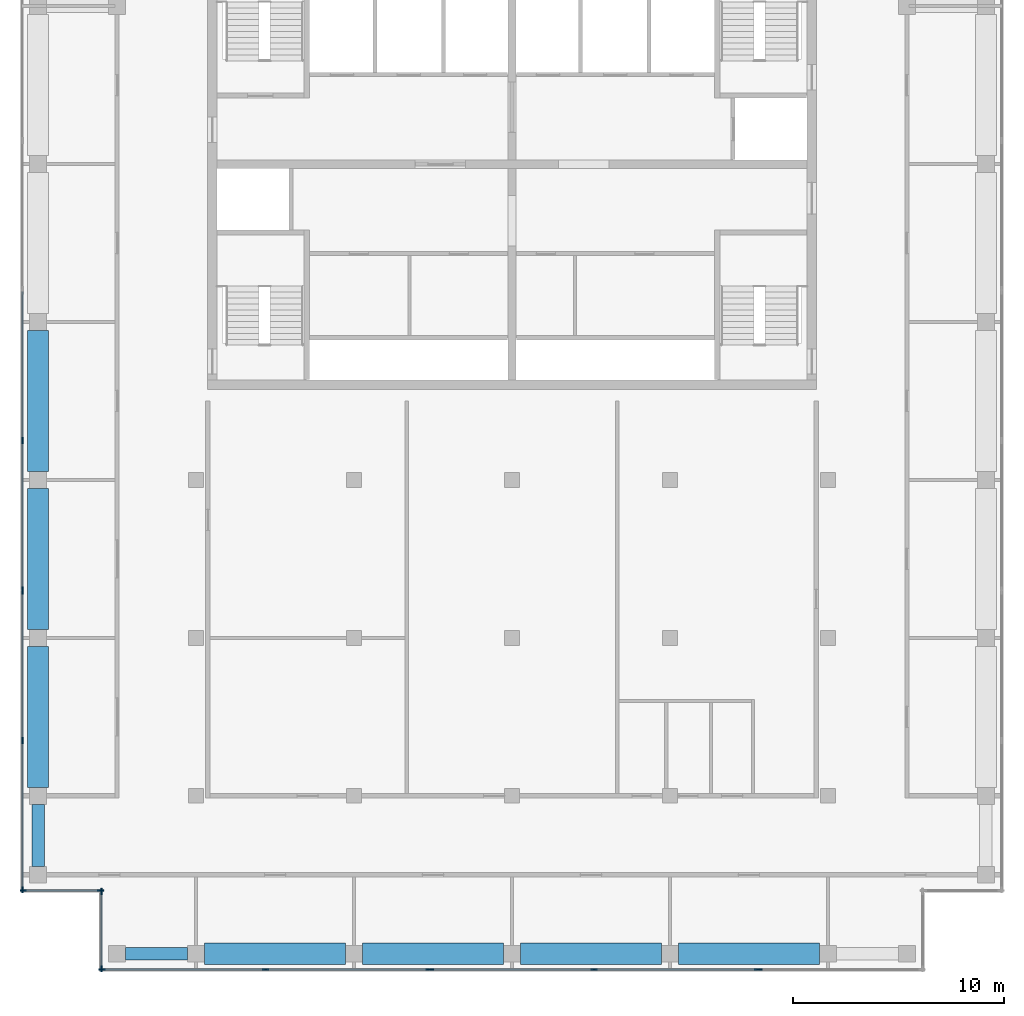
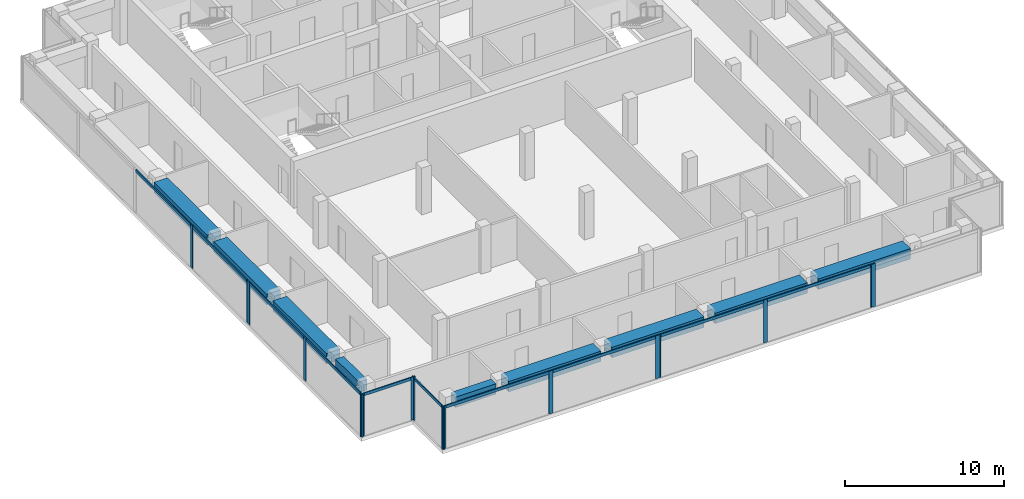
# One storey, part 2 of 9: 26 members, 9 beams, 7 elements without a shape of their own.
"""IFC4 building model written with IfcOpenShell, lengths in metres."""

from ifc_helpers import new_model, si_unit, direction, frame, origin, origin_2d, place, context, subcontext, project, spatial, rectangle, extrude, material, material_profile, profile_set, type_object, element, aggregate, save


model = new_model("IFC4")

# Units and contexts
model_context = context("Model", 3, precision=1e-05, world=origin(), true_north=direction((0.0, 1.0)))
body_context = subcontext(model_context, "Body", "Model", "MODEL_VIEW")
ifc_project = project(units=[si_unit("LENGTHUNIT", "METRE"), si_unit("AREAUNIT", "SQUARE_METRE"), si_unit("VOLUMEUNIT", "CUBIC_METRE"), si_unit("PLANEANGLEUNIT", "RADIAN"), si_unit("MASSUNIT", "GRAM", prefix="KILO")], contexts=[model_context])

# Site, building, storey
site_placement = place(None, origin())
site = spatial("IfcSite", under=ifc_project, at=site_placement, CompositionType="ELEMENT")
building_placement = place(site_placement, origin())
building = spatial("IfcBuilding", under=site, at=building_placement, Name="Pilkhan Gate Tower", CompositionType="ELEMENT")
storey_placement = place(building_placement, frame((0.0, 0.0, 262.10009765625)))
storey = spatial("IfcBuildingStorey", under=building, at=storey_placement, Name="L68", CompositionType="ELEMENT", Elevation=262.10009765625)

# Curtain wall, members
ifc_material_1 = material(Name="Pale anodised aluminium, clear low-iron double glazing", Category="aluminium")
curtain_wall_type = type_object("IfcCurtainWallType", Name="Crown unitised curtain wall CW-C", PredefinedType="USERDEFINED", material=ifc_material_1)
curtain_wall_1_placement = place(storey_placement, origin())
curtain_wall_1 = element("IfcCurtainWall", 1, at=curtain_wall_1_placement, inside=storey, type_object=curtain_wall_type, Name="Crown unitised curtain wall CW-C L68 W", ObjectType="UNITISED CURTAIN WALL", PredefinedType="USERDEFINED")
ifc_material_2 = material(Name="Pale anodised aluminium", Category="aluminium")
ifc_material_profile_1 = material_profile(ifc_material_2, rectangle(XDim=0.074951171875, YDim=0.300048828125, at=origin_2d()), Name="Mullion 300x75")
ifc_profile_set_1 = profile_set([ifc_material_profile_1], Name="Pale anodised aluminium")
member_type_1 = type_object("IfcMemberType", Name="Mullion CW-C 300x75", PredefinedType="MULLION", material=ifc_profile_set_1)
member_1_placement = place(storey_placement, frame((51.75, 48.03759765625, 0.0), z_axis=(0.0, 0.0, 1.0), x_axis=(-1.0, 0.0, 0.0)))
member_1 = element("IfcMember", 2, at=member_1_placement, type_object=member_type_1, Name="CW-C mullion 1", PredefinedType="MULLION", context=body_context, shape_type="SweptSolid", body=[
    extrude(rectangle(XDim=0.074951171875, YDim=0.300048828125, at=origin_2d()), origin(), (0.0, 0.0, 1.0), 3.2998046875),
])
member_2_placement = place(storey_placement, frame((51.75, 55.125, 0.0), z_axis=(0.0, 0.0, 1.0), x_axis=(-1.0, 0.0, 0.0)))
member_2 = element("IfcMember", 3, at=member_2_placement, type_object=member_type_1, Name="CW-C mullion 2", PredefinedType="MULLION", context=body_context, shape_type="SweptSolid", body=[
    extrude(rectangle(XDim=0.074951171875, YDim=0.300048828125, at=origin_2d()), origin(), (0.0, 0.0, 1.0), 3.2998046875),
])
member_3_placement = place(storey_placement, frame((51.75, 62.21240234375, 0.0), z_axis=(0.0, 0.0, 1.0), x_axis=(-1.0, 0.0, 0.0)))
member_3 = element("IfcMember", 4, at=member_3_placement, type_object=member_type_1, Name="CW-C mullion 3", PredefinedType="MULLION", context=body_context, shape_type="SweptSolid", body=[
    extrude(rectangle(XDim=0.074951171875, YDim=0.300048828125, at=origin_2d()), origin(), (0.0, 0.0, 1.0), 3.2998046875),
])

curtain_wall_2_placement = place(storey_placement, origin())
curtain_wall_2 = element("IfcCurtainWall", 5, at=curtain_wall_2_placement, inside=storey, type_object=curtain_wall_type, Name="Crown unitised curtain wall CW-C L68 W", ObjectType="UNITISED CURTAIN WALL", PredefinedType="USERDEFINED")
member_4_placement = place(storey_placement, frame((51.75, 62.28759765625, 0.0), z_axis=(0.0, 0.0, 1.0), x_axis=(-1.0, 0.0, 0.0)))
member_4 = element("IfcMember", 6, at=member_4_placement, type_object=member_type_1, Name="CW-C mullion 1", PredefinedType="MULLION", context=body_context, shape_type="SweptSolid", body=[
    extrude(rectangle(XDim=0.074951171875, YDim=0.300048828125, at=origin_2d()), origin(), (0.0, 0.0, 1.0), 3.2998046875),
])
member_5_placement = place(storey_placement, frame((51.75, 69.375, 0.0), z_axis=(0.0, 0.0, 1.0), x_axis=(-1.0, 0.0, 0.0)))
member_5 = element("IfcMember", 7, at=member_5_placement, type_object=member_type_1, Name="CW-C mullion 2", PredefinedType="MULLION", context=body_context, shape_type="SweptSolid", body=[
    extrude(rectangle(XDim=0.074951171875, YDim=0.300048828125, at=origin_2d()), origin(), (0.0, 0.0, 1.0), 3.2998046875),
])

curtain_wall_3_placement = place(storey_placement, origin())
curtain_wall_3 = element("IfcCurtainWall", 8, at=curtain_wall_3_placement, inside=storey, type_object=curtain_wall_type, Name="Crown unitised curtain wall CW-C L68 S", ObjectType="UNITISED CURTAIN WALL", PredefinedType="USERDEFINED")
member_6_placement = place(storey_placement, frame((51.78759765625, 48.0, 0.0), z_axis=(0.0, 0.0, 1.0), x_axis=(0.0, 1.0, 0.0)))
member_6 = element("IfcMember", 9, at=member_6_placement, type_object=member_type_1, Name="CW-C mullion 1", PredefinedType="MULLION", context=body_context, shape_type="SweptSolid", body=[
    extrude(rectangle(XDim=0.074951171875, YDim=0.300048828125, at=origin_2d()), origin(), (0.0, 0.0, 1.0), 3.2998046875),
])
member_7_placement = place(storey_placement, frame((55.46240234375, 48.0, 0.0), z_axis=(0.0, 0.0, 1.0), x_axis=(0.0, 1.0, 0.0)))
member_7 = element("IfcMember", 10, at=member_7_placement, type_object=member_type_1, Name="CW-C mullion 2", PredefinedType="MULLION", context=body_context, shape_type="SweptSolid", body=[
    extrude(rectangle(XDim=0.074951171875, YDim=0.300048828125, at=origin_2d()), origin(), (0.0, 0.0, 1.0), 3.2998046875),
])

curtain_wall_4_placement = place(storey_placement, origin())
curtain_wall_4 = element("IfcCurtainWall", 11, at=curtain_wall_4_placement, inside=storey, type_object=curtain_wall_type, Name="Crown unitised curtain wall CW-C L68 W", ObjectType="UNITISED CURTAIN WALL", PredefinedType="USERDEFINED")
member_8_placement = place(storey_placement, frame((55.5, 44.28759765625, 0.0), z_axis=(0.0, 0.0, 1.0), x_axis=(-1.0, 0.0, 0.0)))
member_8 = element("IfcMember", 12, at=member_8_placement, type_object=member_type_1, Name="CW-C mullion 1", PredefinedType="MULLION", context=body_context, shape_type="SweptSolid", body=[
    extrude(rectangle(XDim=0.074951171875, YDim=0.300048828125, at=origin_2d()), origin(), (0.0, 0.0, 1.0), 3.2998046875),
])
member_9_placement = place(storey_placement, frame((55.5, 47.96240234375, 0.0), z_axis=(0.0, 0.0, 1.0), x_axis=(-1.0, 0.0, 0.0)))
member_9 = element("IfcMember", 13, at=member_9_placement, type_object=member_type_1, Name="CW-C mullion 2", PredefinedType="MULLION", context=body_context, shape_type="SweptSolid", body=[
    extrude(rectangle(XDim=0.074951171875, YDim=0.300048828125, at=origin_2d()), origin(), (0.0, 0.0, 1.0), 3.2998046875),
])

curtain_wall_5_placement = place(storey_placement, origin())
curtain_wall_5 = element("IfcCurtainWall", 14, at=curtain_wall_5_placement, inside=storey, type_object=curtain_wall_type, Name="Crown unitised curtain wall CW-C L68 S", ObjectType="UNITISED CURTAIN WALL", PredefinedType="USERDEFINED")
member_10_placement = place(storey_placement, frame((55.53759765625, 44.25, 0.0), z_axis=(0.0, 0.0, 1.0), x_axis=(0.0, 1.0, 0.0)))
member_10 = element("IfcMember", 15, at=member_10_placement, type_object=member_type_1, Name="CW-C mullion 1", PredefinedType="MULLION", context=body_context, shape_type="SweptSolid", body=[
    extrude(rectangle(XDim=0.074951171875, YDim=0.300048828125, at=origin_2d()), origin(), (0.0, 0.0, 1.0), 3.2998046875),
])
member_11_placement = place(storey_placement, frame((63.300048828125, 44.25, 0.0), z_axis=(0.0, 0.0, 1.0), x_axis=(0.0, 1.0, 0.0)))
member_11 = element("IfcMember", 16, at=member_11_placement, type_object=member_type_1, Name="CW-C mullion 2", PredefinedType="MULLION", context=body_context, shape_type="SweptSolid", body=[
    extrude(rectangle(XDim=0.074951171875, YDim=0.300048828125, at=origin_2d()), origin(), (0.0, 0.0, 1.0), 3.2998046875),
])
member_12_placement = place(storey_placement, frame((71.0625, 44.25, 0.0), z_axis=(0.0, 0.0, 1.0), x_axis=(0.0, 1.0, 0.0)))
member_12 = element("IfcMember", 17, at=member_12_placement, type_object=member_type_1, Name="CW-C mullion 3", PredefinedType="MULLION", context=body_context, shape_type="SweptSolid", body=[
    extrude(rectangle(XDim=0.074951171875, YDim=0.300048828125, at=origin_2d()), origin(), (0.0, 0.0, 1.0), 3.2998046875),
])

curtain_wall_6_placement = place(storey_placement, origin())
curtain_wall_6 = element("IfcCurtainWall", 18, at=curtain_wall_6_placement, inside=storey, type_object=curtain_wall_type, Name="Crown unitised curtain wall CW-C L68 S", ObjectType="UNITISED CURTAIN WALL", PredefinedType="USERDEFINED")
member_13_placement = place(storey_placement, frame((71.137451171875, 44.25, 0.0), z_axis=(0.0, 0.0, 1.0), x_axis=(0.0, 1.0, 0.0)))
member_13 = element("IfcMember", 19, at=member_13_placement, type_object=member_type_1, Name="CW-C mullion 1", PredefinedType="MULLION", context=body_context, shape_type="SweptSolid", body=[
    extrude(rectangle(XDim=0.074951171875, YDim=0.300048828125, at=origin_2d()), origin(), (0.0, 0.0, 1.0), 3.2998046875),
])
member_14_placement = place(storey_placement, frame((78.89990234375, 44.25, 0.0), z_axis=(0.0, 0.0, 1.0), x_axis=(0.0, 1.0, 0.0)))
member_14 = element("IfcMember", 20, at=member_14_placement, type_object=member_type_1, Name="CW-C mullion 2", PredefinedType="MULLION", context=body_context, shape_type="SweptSolid", body=[
    extrude(rectangle(XDim=0.074951171875, YDim=0.300048828125, at=origin_2d()), origin(), (0.0, 0.0, 1.0), 3.2998046875),
])
member_15_placement = place(storey_placement, frame((86.66259765625, 44.25, 0.0), z_axis=(0.0, 0.0, 1.0), x_axis=(0.0, 1.0, 0.0)))
member_15 = element("IfcMember", 21, at=member_15_placement, type_object=member_type_1, Name="CW-C mullion 3", PredefinedType="MULLION", context=body_context, shape_type="SweptSolid", body=[
    extrude(rectangle(XDim=0.074951171875, YDim=0.300048828125, at=origin_2d()), origin(), (0.0, 0.0, 1.0), 3.2998046875),
])

# Curtain wall, member
curtain_wall_7_placement = place(storey_placement, origin())
curtain_wall_7 = element("IfcCurtainWall", 22, at=curtain_wall_7_placement, inside=storey, type_object=curtain_wall_type, Name="Crown unitised curtain wall CW-C L68 S", ObjectType="UNITISED CURTAIN WALL", PredefinedType="USERDEFINED")
member_16_placement = place(storey_placement, frame((86.737548828125, 44.25, 0.0), z_axis=(0.0, 0.0, 1.0), x_axis=(0.0, 1.0, 0.0)))
member_16 = element("IfcMember", 23, at=member_16_placement, type_object=member_type_1, Name="CW-C mullion 1", PredefinedType="MULLION", context=body_context, shape_type="SweptSolid", body=[
    extrude(rectangle(XDim=0.074951171875, YDim=0.300048828125, at=origin_2d()), origin(), (0.0, 0.0, 1.0), 3.2998046875),
])
aggregate(curtain_wall_7, [member_16])

# Beams
ifc_material_3 = material(Name="Concrete C50/60", Category="concrete")
ifc_material_profile_2 = material_profile(ifc_material_3, rectangle(XDim=0.60009765625, YDim=0.800048828125, at=origin_2d()), Name="RC 600x800")
ifc_profile_set_2 = profile_set([ifc_material_profile_2], Name="Concrete C50/60")
beam_type_1 = type_object("IfcBeamType", Name="Terrace edge beam TEB RC 600x800 C50/60", PredefinedType="BEAM", material=ifc_profile_set_2)
for number, where, z_axis, x_axis, name in (
    (24, (59.60009765625, 45.0, 2.89990234375), (-1.0, 0.0, 0.0), (0.0, -1.0, 0.0), "Terrace edge beam 6 L69"),
    (25, (52.5, 49.14990234375, 2.89990234375), (0.0, 1.0, 0.0), (-1.0, 0.0, 0.0), "Terrace edge beam 7 L69"),
):
    element("IfcBeam", number, at=place(storey_placement, frame(where, z_axis=z_axis, x_axis=x_axis)), inside=storey, type_object=beam_type_1, Name=name, PredefinedType="BEAM", context=body_context, shape_type="SweptSolid", body=[
        extrude(rectangle(XDim=0.60009765625, YDim=0.800048828125, at=origin_2d()), origin(), (0.0, 0.0, 1.0), 2.9501953125),
    ])
ifc_material_profile_3 = material_profile(ifc_material_3, rectangle(XDim=1.0, YDim=0.800048828125, at=origin_2d()), Name="RC 1000x800")
ifc_profile_set_3 = profile_set([ifc_material_profile_3], Name="Concrete C50/60")
beam_type_2 = type_object("IfcBeamType", Name="Terrace edge beam TEB10W RC 1000x800 C50/60", PredefinedType="BEAM", material=ifc_profile_set_3)
for number, where, z_axis, x_axis, name in (
    (26, (89.60009765625, 45.0, 2.89990234375), (-1.0, 0.0, 0.0), (0.0, -1.0, 0.0), "Terrace edge beam 2 L69"),
    (27, (82.10009765625, 45.0, 2.89990234375), (-1.0, 0.0, 0.0), (0.0, -1.0, 0.0), "Terrace edge beam 3 L69"),
    (28, (74.60009765625, 45.0, 2.89990234375), (-1.0, 0.0, 0.0), (0.0, -1.0, 0.0), "Terrace edge beam 4 L69"),
    (29, (67.10009765625, 45.0, 2.89990234375), (-1.0, 0.0, 0.0), (0.0, -1.0, 0.0), "Terrace edge beam 5 L69"),
    (30, (52.5, 52.89990234375, 2.89990234375), (0.0, 1.0, 0.0), (-1.0, 0.0, 0.0), "Terrace edge beam 8 L69"),
    (31, (52.5, 60.39990234375, 2.89990234375), (0.0, 1.0, 0.0), (-1.0, 0.0, 0.0), "Terrace edge beam 9 L69"),
    (32, (52.5, 67.89990234375, 2.89990234375), (0.0, 1.0, 0.0), (-1.0, 0.0, 0.0), "Terrace edge beam 10 L69"),
):
    element("IfcBeam", number, at=place(storey_placement, frame(where, z_axis=z_axis, x_axis=x_axis)), inside=storey, type_object=beam_type_2, Name=name, PredefinedType="BEAM", context=body_context, shape_type="SweptSolid", body=[
        extrude(rectangle(XDim=1.0, YDim=0.800048828125, at=origin_2d()), origin(), (0.0, 0.0, 1.0), 6.7001953125),
    ])

# Member
ifc_material_profile_4 = material_profile(ifc_material_2, rectangle(XDim=0.074951171875, YDim=0.219970703125, at=origin_2d()), Name="Transom 220x75")
ifc_profile_set_4 = profile_set([ifc_material_profile_4], Name="Pale anodised aluminium")
member_type_2 = type_object("IfcMemberType", Name="Transom CW-C 220x75", PredefinedType="USERDEFINED", material=ifc_profile_set_4)
member_17_placement = place(storey_placement, frame((51.75, 48.074951171875, 3.18994140625), z_axis=(0.0, 1.0, 0.0), x_axis=(-1.0, 0.0, 0.0)))
member_17 = element("IfcMember", 33, at=member_17_placement, type_object=member_type_2, Name="CW-C transom 1", ObjectType="TRANSOM", PredefinedType="USERDEFINED", context=body_context, shape_type="SweptSolid", body=[
    extrude(rectangle(XDim=0.074951171875, YDim=0.219970703125, at=origin_2d()), origin(), (0.0, 0.0, 1.0), 7.012451171875),
])

member_18_placement = place(storey_placement, frame((51.75, 55.16259765625, 3.18994140625), z_axis=(0.0, 1.0, 0.0), x_axis=(-1.0, 0.0, 0.0)))
member_18 = element("IfcMember", 34, at=member_18_placement, type_object=member_type_2, Name="CW-C transom 2", ObjectType="TRANSOM", PredefinedType="USERDEFINED", context=body_context, shape_type="SweptSolid", body=[
    extrude(rectangle(XDim=0.074951171875, YDim=0.219970703125, at=origin_2d()), origin(), (0.0, 0.0, 1.0), 7.012451171875),
])

aggregate(curtain_wall_1, [member_1, member_2, member_3, member_17, member_18])

member_19_placement = place(storey_placement, frame((51.75, 62.324951171875, 3.18994140625), z_axis=(0.0, 1.0, 0.0), x_axis=(-1.0, 0.0, 0.0)))
member_19 = element("IfcMember", 35, at=member_19_placement, type_object=member_type_2, Name="CW-C transom 1", ObjectType="TRANSOM", PredefinedType="USERDEFINED", context=body_context, shape_type="SweptSolid", body=[
    extrude(rectangle(XDim=0.074951171875, YDim=0.219970703125, at=origin_2d()), origin(), (0.0, 0.0, 1.0), 7.012451171875),
])

member_20_placement = place(storey_placement, frame((51.75, 69.41259765625, 3.18994140625), z_axis=(0.0, 1.0, 0.0), x_axis=(-1.0, 0.0, 0.0)))
member_20 = element("IfcMember", 36, at=member_20_placement, type_object=member_type_2, Name="CW-C transom 2", ObjectType="TRANSOM", PredefinedType="USERDEFINED", context=body_context, shape_type="SweptSolid", body=[
    extrude(rectangle(XDim=0.074951171875, YDim=0.219970703125, at=origin_2d()), origin(), (0.0, 0.0, 1.0), 7.012451171875),
])

aggregate(curtain_wall_2, [member_4, member_5, member_19, member_20])

member_21_placement = place(storey_placement, frame((51.824951171875, 48.0, 3.18994140625), z_axis=(1.0, 0.0, 0.0), x_axis=(0.0, 1.0, 0.0)))
member_21 = element("IfcMember", 37, at=member_21_placement, type_object=member_type_2, Name="CW-C transom 1", ObjectType="TRANSOM", PredefinedType="USERDEFINED", context=body_context, shape_type="SweptSolid", body=[
    extrude(rectangle(XDim=0.074951171875, YDim=0.219970703125, at=origin_2d()), origin(), (0.0, 0.0, 1.0), 3.60009765625),
])

aggregate(curtain_wall_3, [member_6, member_7, member_21])

member_22_placement = place(storey_placement, frame((55.5, 44.324951171875, 3.18994140625), z_axis=(0.0, 1.0, 0.0), x_axis=(-1.0, 0.0, 0.0)))
member_22 = element("IfcMember", 38, at=member_22_placement, type_object=member_type_2, Name="CW-C transom 1", ObjectType="TRANSOM", PredefinedType="USERDEFINED", context=body_context, shape_type="SweptSolid", body=[
    extrude(rectangle(XDim=0.074951171875, YDim=0.219970703125, at=origin_2d()), origin(), (0.0, 0.0, 1.0), 3.60009765625),
])

aggregate(curtain_wall_4, [member_8, member_9, member_22])

member_23_placement = place(storey_placement, frame((55.574951171875, 44.25, 3.18994140625), z_axis=(1.0, 0.0, 0.0), x_axis=(0.0, 1.0, 0.0)))
member_23 = element("IfcMember", 39, at=member_23_placement, type_object=member_type_2, Name="CW-C transom 1", ObjectType="TRANSOM", PredefinedType="USERDEFINED", context=body_context, shape_type="SweptSolid", body=[
    extrude(rectangle(XDim=0.074951171875, YDim=0.219970703125, at=origin_2d()), origin(), (0.0, 0.0, 1.0), 7.6875),
])

member_24_placement = place(storey_placement, frame((63.33740234375, 44.25, 3.18994140625), z_axis=(1.0, 0.0, 0.0), x_axis=(0.0, 1.0, 0.0)))
member_24 = element("IfcMember", 40, at=member_24_placement, type_object=member_type_2, Name="CW-C transom 2", ObjectType="TRANSOM", PredefinedType="USERDEFINED", context=body_context, shape_type="SweptSolid", body=[
    extrude(rectangle(XDim=0.074951171875, YDim=0.219970703125, at=origin_2d()), origin(), (0.0, 0.0, 1.0), 7.6875),
])

aggregate(curtain_wall_5, [member_10, member_11, member_12, member_23, member_24])

member_25_placement = place(storey_placement, frame((71.175048828125, 44.25, 3.18994140625), z_axis=(1.0, 0.0, 0.0), x_axis=(0.0, 1.0, 0.0)))
member_25 = element("IfcMember", 41, at=member_25_placement, type_object=member_type_2, Name="CW-C transom 1", ObjectType="TRANSOM", PredefinedType="USERDEFINED", context=body_context, shape_type="SweptSolid", body=[
    extrude(rectangle(XDim=0.074951171875, YDim=0.219970703125, at=origin_2d()), origin(), (0.0, 0.0, 1.0), 7.6875),
])

member_26_placement = place(storey_placement, frame((78.9375, 44.25, 3.18994140625), z_axis=(1.0, 0.0, 0.0), x_axis=(0.0, 1.0, 0.0)))
member_26 = element("IfcMember", 42, at=member_26_placement, type_object=member_type_2, Name="CW-C transom 2", ObjectType="TRANSOM", PredefinedType="USERDEFINED", context=body_context, shape_type="SweptSolid", body=[
    extrude(rectangle(XDim=0.074951171875, YDim=0.219970703125, at=origin_2d()), origin(), (0.0, 0.0, 1.0), 7.6875),
])

aggregate(curtain_wall_6, [member_13, member_14, member_15, member_25, member_26])

save(model, "model.ifc")
